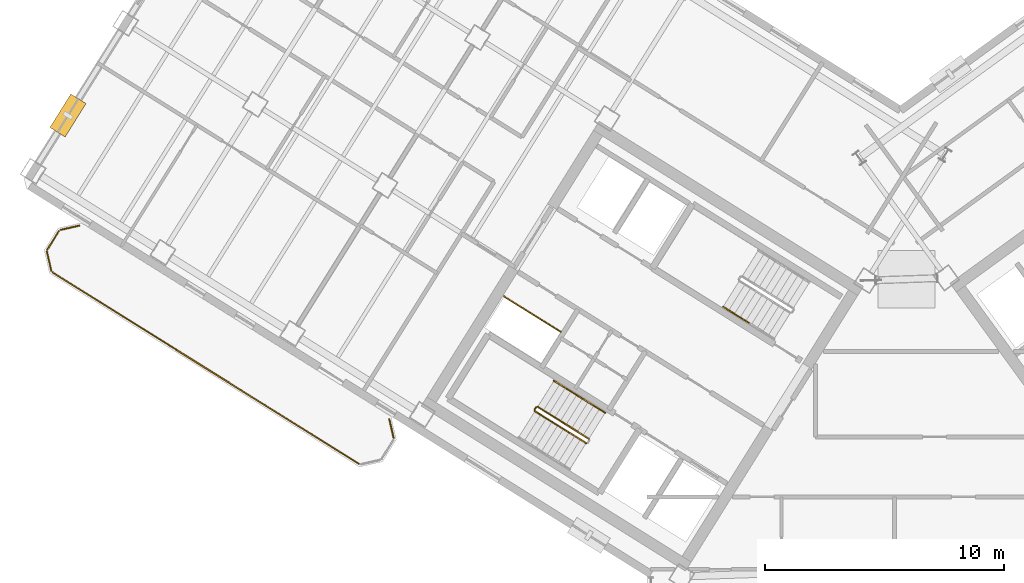
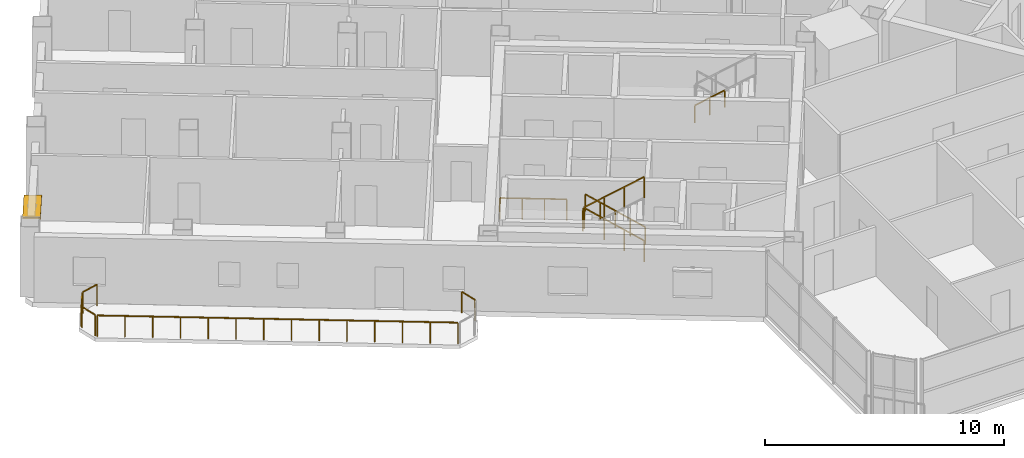
# One storey, part 20 of 23: 12 railings, 1 shading device.
"""IFC4 building model written with IfcOpenShell, lengths in metres."""

from ifc_helpers import new_model, si_unit, direction, frame, origin, origin_2d, place, context, subcontext, project, spatial, rectangle, extrude, source, transform, mapped, material, layer, layer_set, type_object, element, save


model = new_model("IFC4")

# Units and contexts
model_context = context("Model", 3, precision=1e-05, world=origin(), true_north=direction((0.0, 1.0)))
body_context = subcontext(model_context, "Body", "Model", "MODEL_VIEW")
ifc_project = project(units=[si_unit("LENGTHUNIT", "METRE"), si_unit("AREAUNIT", "SQUARE_METRE"), si_unit("VOLUMEUNIT", "CUBIC_METRE"), si_unit("PLANEANGLEUNIT", "RADIAN"), si_unit("MASSUNIT", "GRAM", prefix="KILO")], contexts=[model_context])

# Site, building, storey
site_placement = place(None, origin())
site = spatial("IfcSite", under=ifc_project, at=site_placement, CompositionType="ELEMENT")
building_placement = place(site_placement, origin())
building = spatial("IfcBuilding", under=site, at=building_placement, Name="Tlacorven Tower", CompositionType="ELEMENT")
storey_placement = place(building_placement, frame((0.0, 0.0, 218.39990234375)))
storey = spatial("IfcBuildingStorey", under=building, at=storey_placement, Name="L55", CompositionType="ELEMENT", Elevation=218.39990234375)

# Railings
ifc_material_1 = material(Name="Aluminium and painted steel balustrade", Category="steel")
railing_type_1 = type_object("IfcRailingType", Name="RL-GRD-1100", PredefinedType="GUARDRAIL", material=ifc_material_1)
shared_shape_1 = source(origin(), body_context, "Body", "SweptSolid", [
    extrude(rectangle(XDim=0.048095703125, YDim=0.048095703125, at=origin_2d()), frame((0.0, 0.0, 1.076171875), z_axis=(-0.848091358275, 0.529850024081, 0.0), x_axis=(-0.529850024081, -0.848091358275, 0.0)), (0.0, 0.0, 1.0), 2.800048828125),
    extrude(rectangle(XDim=0.0419921875, YDim=0.0419921875, at=origin_2d()), origin(), (0.0, 0.0, 1.0), 1.052001953125),
    extrude(rectangle(XDim=0.0419921875, YDim=0.0419921875, at=origin_2d()), frame((-0.79150390625, 0.49462890625, 0.0)), (0.0, 0.0, 1.0), 1.052001953125),
    extrude(rectangle(XDim=0.0419921875, YDim=0.0419921875, at=origin_2d()), frame((-1.583251953125, 0.989013671875, 0.0)), (0.0, 0.0, 1.0), 1.052001953125),
    extrude(rectangle(XDim=0.0419921875, YDim=0.0419921875, at=origin_2d()), frame((-2.374755859375, 1.483642578125, 0.0)), (0.0, 0.0, 1.0), 1.052001953125),
])
railing_1_placement = place(storey_placement, frame((27.9912109375, 22.32080078125, 0.0)))
element("IfcRailing", 1, at=railing_1_placement, inside=storey, type_object=railing_type_1, Name="L55 Electrical Riser W Shaft Guard 1", PredefinedType="GUARDRAIL", context=body_context, shape_type="MappedRepresentation", body=[
    mapped(shared_shape_1, transform((0.0, 0.0, 0.0), scale=1.0)),
])
railing_type_2 = type_object("IfcRailingType", Name="RL-BAL-1100", PredefinedType="BALUSTRADE", material=ifc_material_1)
shared_shape_2 = source(origin(), body_context, "Body", "SweptSolid", [
    extrude(rectangle(XDim=0.048095703125, YDim=0.048095703125, at=origin_2d()), frame((0.0, 0.0, 1.076171875), z_axis=(0.225058334816, -0.974345290916, 0.0), x_axis=(0.974345290916, 0.225058334816, 0.0)), (0.0, 0.0, 1.0), 0.80712890625),
    extrude(rectangle(XDim=0.0419921875, YDim=0.0419921875, at=origin_2d()), origin(), (0.0, 0.0, 1.0), 1.052001953125),
    extrude(rectangle(XDim=0.0419921875, YDim=0.0419921875, at=origin_2d()), frame((0.181640625, -0.786376953125, 0.0)), (0.0, 0.0, 1.0), 1.052001953125),
])
railing_2_placement = place(storey_placement, frame((20.809814453125, 18.671142578125, 0.0)))
element("IfcRailing", 2, at=railing_2_placement, inside=storey, type_object=railing_type_2, Name="BAL-L55-W-OUT Guard Railing 1", PredefinedType="BALUSTRADE", context=body_context, shape_type="MappedRepresentation", body=[
    mapped(shared_shape_2, transform((0.0, 0.0, 0.0), scale=1.0)),
])
shared_shape_3 = source(origin(), body_context, "Body", "SweptSolid", [
    extrude(rectangle(XDim=0.048095703125, YDim=0.048095703125, at=origin_2d()), frame((0.0, 0.0, 1.076171875), z_axis=(-0.225058334816, 0.974345290916, 0.0), x_axis=(-0.974345290916, -0.225058334816, 0.0)), (0.0, 0.0, 1.0), 0.80712890625),
    extrude(rectangle(XDim=0.0419921875, YDim=0.0419921875, at=origin_2d()), origin(), (0.0, 0.0, 1.0), 1.052001953125),
    extrude(rectangle(XDim=0.0419921875, YDim=0.0419921875, at=origin_2d()), frame((-0.181640625, 0.786376953125, 0.0)), (0.0, 0.0, 1.0), 1.052001953125),
])
railing_3_placement = place(storey_placement, frame((6.66650390625, 24.88623046875, 0.0)))
element("IfcRailing", 3, at=railing_3_placement, inside=storey, type_object=railing_type_2, Name="BAL-L55-W-OUT Guard Railing 5", PredefinedType="BALUSTRADE", context=body_context, shape_type="MappedRepresentation", body=[
    mapped(shared_shape_3, transform((0.0, 0.0, 0.0), scale=1.0)),
])
shared_shape_4 = source(origin(), body_context, "Body", "SweptSolid", [
    extrude(rectangle(XDim=0.048095703125, YDim=0.048095703125, at=origin_2d()), frame((0.0, 0.0, 1.076171875), z_axis=(0.974411586182, 0.224771129628, 0.0), x_axis=(-0.224771129628, 0.974411586182, 0.0)), (0.0, 0.0, 1.0), 0.80712890625),
    extrude(rectangle(XDim=0.0419921875, YDim=0.0419921875, at=origin_2d()), origin(), (0.0, 0.0, 1.0), 1.052001953125),
    extrude(rectangle(XDim=0.0419921875, YDim=0.0419921875, at=origin_2d()), frame((0.786376953125, 0.181396484375, 0.0)), (0.0, 0.0, 1.0), 1.052001953125),
])
railing_4_placement = place(storey_placement, frame((7.05859375, 26.591064453125, 0.0)))
element("IfcRailing", 4, at=railing_4_placement, inside=storey, type_object=railing_type_2, Name="BAL-L55-W-OUT Guard Railing 7", PredefinedType="BALUSTRADE", context=body_context, shape_type="MappedRepresentation", body=[
    mapped(shared_shape_4, transform((0.0, 0.0, 0.0), scale=1.0)),
])
shared_shape_5 = source(origin(), body_context, "Body", "SweptSolid", [
    extrude(rectangle(XDim=0.048095703125, YDim=0.048095703125, at=origin_2d()), frame((0.0, 0.0, 1.076171875), z_axis=(0.529998940003, 0.847998304005, 0.0), x_axis=(-0.847998304005, 0.529998940003, 0.0)), (0.0, 0.0, 1.0), 0.912109375),
    extrude(rectangle(XDim=0.0419921875, YDim=0.0419921875, at=origin_2d()), origin(), (0.0, 0.0, 1.0), 1.052001953125),
    extrude(rectangle(XDim=0.0419921875, YDim=0.0419921875, at=origin_2d()), frame((0.4833984375, 0.7734375, 0.0)), (0.0, 0.0, 1.0), 1.052001953125),
])
railing_5_placement = place(storey_placement, frame((6.5, 25.763916015625, 0.0)))
element("IfcRailing", 5, at=railing_5_placement, inside=storey, type_object=railing_type_2, Name="BAL-L55-W-OUT Guard Railing 6", PredefinedType="BALUSTRADE", context=body_context, shape_type="MappedRepresentation", body=[
    mapped(shared_shape_5, transform((0.0, 0.0, 0.0), scale=1.0)),
])
shared_shape_6 = source(origin(), body_context, "Body", "SweptSolid", [
    extrude(rectangle(XDim=0.048095703125, YDim=0.048095703125, at=origin_2d()), frame((0.0, 0.0, 1.076171875), z_axis=(-0.848051830527, 0.529913287944, 0.0), x_axis=(-0.529913287944, -0.848051830527, 0.0)), (0.0, 0.0, 1.0), 15.1171875),
    extrude(rectangle(XDim=0.0419921875, YDim=0.0419921875, at=origin_2d()), origin(), (0.0, 0.0, 1.0), 1.052001953125),
    extrude(rectangle(XDim=0.0419921875, YDim=0.0419921875, at=origin_2d()), frame((-0.986083984375, 0.6162109375, 0.0)), (0.0, 0.0, 1.0), 1.052001953125),
    extrude(rectangle(XDim=0.0419921875, YDim=0.0419921875, at=origin_2d()), frame((-1.972412109375, 1.232421875, 0.0)), (0.0, 0.0, 1.0), 1.052001953125),
    extrude(rectangle(XDim=0.0419921875, YDim=0.0419921875, at=origin_2d()), frame((-2.95849609375, 1.8486328125, 0.0)), (0.0, 0.0, 1.0), 1.052001953125),
    extrude(rectangle(XDim=0.0419921875, YDim=0.0419921875, at=origin_2d()), frame((-3.944580078125, 2.46484375, 0.0)), (0.0, 0.0, 1.0), 1.052001953125),
    extrude(rectangle(XDim=0.0419921875, YDim=0.0419921875, at=origin_2d()), frame((-4.930908203125, 3.0810546875, 0.0)), (0.0, 0.0, 1.0), 1.052001953125),
    extrude(rectangle(XDim=0.0419921875, YDim=0.0419921875, at=origin_2d()), frame((-5.9169921875, 3.697265625, 0.0)), (0.0, 0.0, 1.0), 1.052001953125),
    extrude(rectangle(XDim=0.0419921875, YDim=0.0419921875, at=origin_2d()), frame((-6.903076171875, 4.3134765625, 0.0)), (0.0, 0.0, 1.0), 1.052001953125),
    extrude(rectangle(XDim=0.0419921875, YDim=0.0419921875, at=origin_2d()), frame((-7.88916015625, 4.9296875, 0.0)), (0.0, 0.0, 1.0), 1.052001953125),
    extrude(rectangle(XDim=0.0419921875, YDim=0.0419921875, at=origin_2d()), frame((-8.87548828125, 5.5458984375, 0.0)), (0.0, 0.0, 1.0), 1.052001953125),
    extrude(rectangle(XDim=0.0419921875, YDim=0.0419921875, at=origin_2d()), frame((-9.861572265625, 6.162109375, 0.0)), (0.0, 0.0, 1.0), 1.052001953125),
    extrude(rectangle(XDim=0.0419921875, YDim=0.0419921875, at=origin_2d()), frame((-10.84765625, 6.7783203125, 0.0)), (0.0, 0.0, 1.0), 1.052001953125),
    extrude(rectangle(XDim=0.0419921875, YDim=0.0419921875, at=origin_2d()), frame((-11.833984375, 7.39453125, 0.0)), (0.0, 0.0, 1.0), 1.052001953125),
    extrude(rectangle(XDim=0.0419921875, YDim=0.0419921875, at=origin_2d()), frame((-12.820068359375, 8.0107421875, 0.0)), (0.0, 0.0, 1.0), 1.052001953125),
])
railing_6_placement = place(storey_placement, frame((19.5400390625, 16.80029296875, 0.0)))
element("IfcRailing", 6, at=railing_6_placement, inside=storey, type_object=railing_type_2, Name="BAL-L55-W-OUT Guard Railing 4", PredefinedType="BALUSTRADE", context=body_context, shape_type="MappedRepresentation", body=[
    mapped(shared_shape_6, transform((0.0, 0.0, 0.0), scale=1.0)),
])

# Shading device
ifc_material_2 = material(Name="Anodised bronze aluminium sunshade", Category="aluminium")
ifc_layer = layer(ifc_material_2, 0.080078125)
ifc_layer_set = layer_set([ifc_layer], Name="Anodised bronze aluminium sunshade")
shading_device_type = type_object("IfcShadingDeviceType", Name="SH-SUN-BRZ", PredefinedType="AWNING", material=ifc_layer_set)
shared_shape_7 = source(origin(), body_context, "Body", "SweptSolid", [
    extrude(rectangle(XDim=1.64990234375, YDim=0.75, at=origin_2d()), origin(), (0.0, 0.0, 1.0), 0.080078125),
])
shading_device_placement = place(storey_placement, frame((7.365966796875, 31.37646484375, 2.3701171875), z_axis=(0.0, 0.0, 1.0), x_axis=(0.529919147866, 0.848048168871, 0.0)))
element("IfcShadingDevice", 7, at=shading_device_placement, inside=storey, type_object=shading_device_type, Name="L55 Solar Brise-Soleil Sunshade L55-02.1", PredefinedType="AWNING", context=body_context, shape_type="MappedRepresentation", body=[
    mapped(shared_shape_7, transform((0.0, 0.0, 0.0), scale=1.0)),
])

# Railings
shared_shape_8 = source(origin(), body_context, "Body", "SweptSolid", [
    extrude(rectangle(XDim=0.048095703125, YDim=0.048095703125, at=origin_2d()), frame((0.0, 0.0, 1.076171875), z_axis=(-0.530546985787, -0.847655529016, 0.0), x_axis=(0.847655529016, -0.530546985787, 0.0)), (0.0, 0.0, 1.0), 0.1201171875),
    extrude(rectangle(XDim=0.0419921875, YDim=0.0419921875, at=origin_2d()), origin(), (0.0, 0.0, 1.0), 1.052001953125),
    extrude(rectangle(XDim=0.0419921875, YDim=0.0419921875, at=origin_2d()), frame((-0.063720703125, -0.101806640625, 0.0)), (0.0, 0.0, 1.0), 1.052001953125),
])
railing_7_placement = place(storey_placement, frame((26.954833984375, 19.17138671875, 1.800048828125)))
element("IfcRailing", 8, at=railing_7_placement, inside=storey, type_object=railing_type_1, Name="L55 ST-W1 stair guard 2", PredefinedType="GUARDRAIL", context=body_context, shape_type="MappedRepresentation", body=[
    mapped(shared_shape_8, transform((0.0, 0.0, 0.0), scale=1.0)),
])
shared_shape_9 = source(origin(), body_context, "Body", "SweptSolid", [
    extrude(rectangle(XDim=0.048095703125, YDim=0.048095703125, at=origin_2d()), frame((0.0, 0.0, 1.076171875), z_axis=(0.713359751793, -0.4457479829, 0.540764828981), x_axis=(0.529911857636, 0.848052724267, 0.0)), (0.0, 0.0, 1.0), 2.99609375),
    extrude(rectangle(XDim=0.0419921875, YDim=0.0419921875, at=origin_2d()), origin(), (0.0, 0.0, 1.0), 1.052001953125),
    extrude(rectangle(XDim=0.0419921875, YDim=0.0419921875, at=origin_2d()), frame((0.71240234375, -0.445068359375, 0.5400390625)), (0.0, 0.0, 1.0), 1.052001953125),
    extrude(rectangle(XDim=0.0419921875, YDim=0.0419921875, at=origin_2d()), frame((1.4248046875, -0.890380859375, 1.080078125)), (0.0, 0.0, 1.0), 1.052001953125),
    extrude(rectangle(XDim=0.0419921875, YDim=0.0419921875, at=origin_2d()), frame((2.13720703125, -1.33544921875, 1.6201171875)), (0.0, 0.0, 1.0), 1.052001953125),
])
railing_8_placement = place(storey_placement, frame((26.906982421875, 19.000732421875, 1.97998046875)))
element("IfcRailing", 9, at=railing_8_placement, inside=storey, type_object=railing_type_1, Name="L55 ST-W1 stair guard 3", PredefinedType="GUARDRAIL", context=body_context, shape_type="MappedRepresentation", body=[
    mapped(shared_shape_9, transform((0.0, 0.0, 0.0), scale=1.0)),
])
railing_type_3 = type_object("IfcRailingType", Name="RL-HND-0900", PredefinedType="HANDRAIL", material=ifc_material_1)
shared_shape_10 = source(origin(), body_context, "Body", "SweptSolid", [
    extrude(rectangle(XDim=0.048095703125, YDim=0.048095703125, at=origin_2d()), frame((0.0, 0.0, 0.8759765625), z_axis=(-0.713359751793, 0.4457479829, 0.540764828981), x_axis=(-0.529911857636, -0.848052724267, 0.0)), (0.0, 0.0, 1.0), 1.498046875),
    extrude(rectangle(XDim=0.0419921875, YDim=0.0419921875, at=origin_2d()), origin(), (0.0, 0.0, 1.0), 0.851806640625),
    extrude(rectangle(XDim=0.0419921875, YDim=0.0419921875, at=origin_2d()), frame((-0.5341796875, 0.333984375, 0.405029296875)), (0.0, 0.0, 1.0), 0.851806640625),
    extrude(rectangle(XDim=0.0419921875, YDim=0.0419921875, at=origin_2d()), frame((-1.068603515625, 0.667724609375, 0.81005859375)), (0.0, 0.0, 1.0), 0.851806640625),
])
railing_9_placement = place(storey_placement, frame((28.7705078125, 19.60498046875, 0.989990234375)))
element("IfcRailing", 10, at=railing_9_placement, inside=storey, type_object=railing_type_3, Name="L55 ST-W1 stair handrail 2", PredefinedType="HANDRAIL", context=body_context, shape_type="MappedRepresentation", body=[
    mapped(shared_shape_10, transform((0.0, 0.0, 0.0), scale=1.0)),
])
shared_shape_11 = source(origin(), body_context, "Body", "SweptSolid", [
    extrude(rectangle(XDim=0.048095703125, YDim=0.048095703125, at=origin_2d()), frame((0.0, 0.0, 0.8759765625), z_axis=(0.713359751793, -0.4457479829, 0.540764828981), x_axis=(0.529911857636, 0.848052724267, 0.0)), (0.0, 0.0, 1.0), 1.498046875),
    extrude(rectangle(XDim=0.0419921875, YDim=0.0419921875, at=origin_2d()), origin(), (0.0, 0.0, 1.0), 0.851806640625),
    extrude(rectangle(XDim=0.0419921875, YDim=0.0419921875, at=origin_2d()), frame((0.5341796875, -0.333984375, 0.405029296875)), (0.0, 0.0, 1.0), 0.851806640625),
    extrude(rectangle(XDim=0.0419921875, YDim=0.0419921875, at=origin_2d()), frame((1.068603515625, -0.667724609375, 0.81005859375)), (0.0, 0.0, 1.0), 0.851806640625),
])
railing_10_placement = place(storey_placement, frame((34.7802734375, 23.372802734375, 1.97998046875)))
element("IfcRailing", 11, at=railing_10_placement, inside=storey, type_object=railing_type_3, Name="L55 ST-W2 stair handrail 3", PredefinedType="HANDRAIL", context=body_context, shape_type="MappedRepresentation", body=[
    mapped(shared_shape_11, transform((0.0, 0.0, 0.0), scale=1.0)),
])
shared_shape_12 = source(origin(), body_context, "Body", "SweptSolid", [
    extrude(rectangle(XDim=0.048095703125, YDim=0.048095703125, at=origin_2d()), frame((0.0, 0.0, 1.076171875), z_axis=(-0.713351164325, 0.445793541512, 0.540738601085), x_axis=(-0.529955395941, -0.84802551749, 0.0)), (0.0, 0.0, 1.0), 2.99560546875),
    extrude(rectangle(XDim=0.0419921875, YDim=0.0419921875, at=origin_2d()), origin(), (0.0, 0.0, 1.0), 1.052001953125),
    extrude(rectangle(XDim=0.0419921875, YDim=0.0419921875, at=origin_2d()), frame((-0.71240234375, 0.445068359375, 0.5400390625)), (0.0, 0.0, 1.0), 1.052001953125),
    extrude(rectangle(XDim=0.0419921875, YDim=0.0419921875, at=origin_2d()), frame((-1.424560546875, 0.890380859375, 1.079833984375)), (0.0, 0.0, 1.0), 1.052001953125),
    extrude(rectangle(XDim=0.0419921875, YDim=0.0419921875, at=origin_2d()), frame((-2.136962890625, 1.33544921875, 1.619873046875)), (0.0, 0.0, 1.0), 1.052001953125),
])
railing_11_placement = place(storey_placement, frame((29.16064453125, 17.851806640625, 0.18017578125)))
element("IfcRailing", 12, at=railing_11_placement, inside=storey, type_object=railing_type_1, Name="L55 ST-W1 stair guard 1", PredefinedType="GUARDRAIL", context=body_context, shape_type="MappedRepresentation", body=[
    mapped(shared_shape_12, transform((0.0, 0.0, 0.0), scale=1.0)),
])
shared_shape_13 = source(origin(), body_context, "Body", "SweptSolid", [
    extrude(rectangle(XDim=0.048095703125, YDim=0.048095703125, at=origin_2d()), frame((0.0, 0.0, 0.8759765625), z_axis=(-0.713422621445, 0.445787267455, 0.540649494022), x_axis=(-0.529911857636, -0.848052724267, 0.0)), (0.0, 0.0, 1.0), 1.497802734375),
    extrude(rectangle(XDim=0.0419921875, YDim=0.0419921875, at=origin_2d()), origin(), (0.0, 0.0, 1.0), 0.851806640625),
    extrude(rectangle(XDim=0.0419921875, YDim=0.0419921875, at=origin_2d()), frame((-0.5341796875, 0.333984375, 0.40478515625)), (0.0, 0.0, 1.0), 0.851806640625),
    extrude(rectangle(XDim=0.0419921875, YDim=0.0419921875, at=origin_2d()), frame((-1.068603515625, 0.667724609375, 0.809814453125)), (0.0, 0.0, 1.0), 0.851806640625),
])
railing_12_placement = place(storey_placement, frame((29.839111328125, 18.937255859375, 0.18017578125)))
element("IfcRailing", 13, at=railing_12_placement, inside=storey, type_object=railing_type_3, Name="L55 ST-W1 stair handrail 1", PredefinedType="HANDRAIL", context=body_context, shape_type="MappedRepresentation", body=[
    mapped(shared_shape_13, transform((0.0, 0.0, 0.0), scale=1.0)),
])

save(model, "model.ifc")
